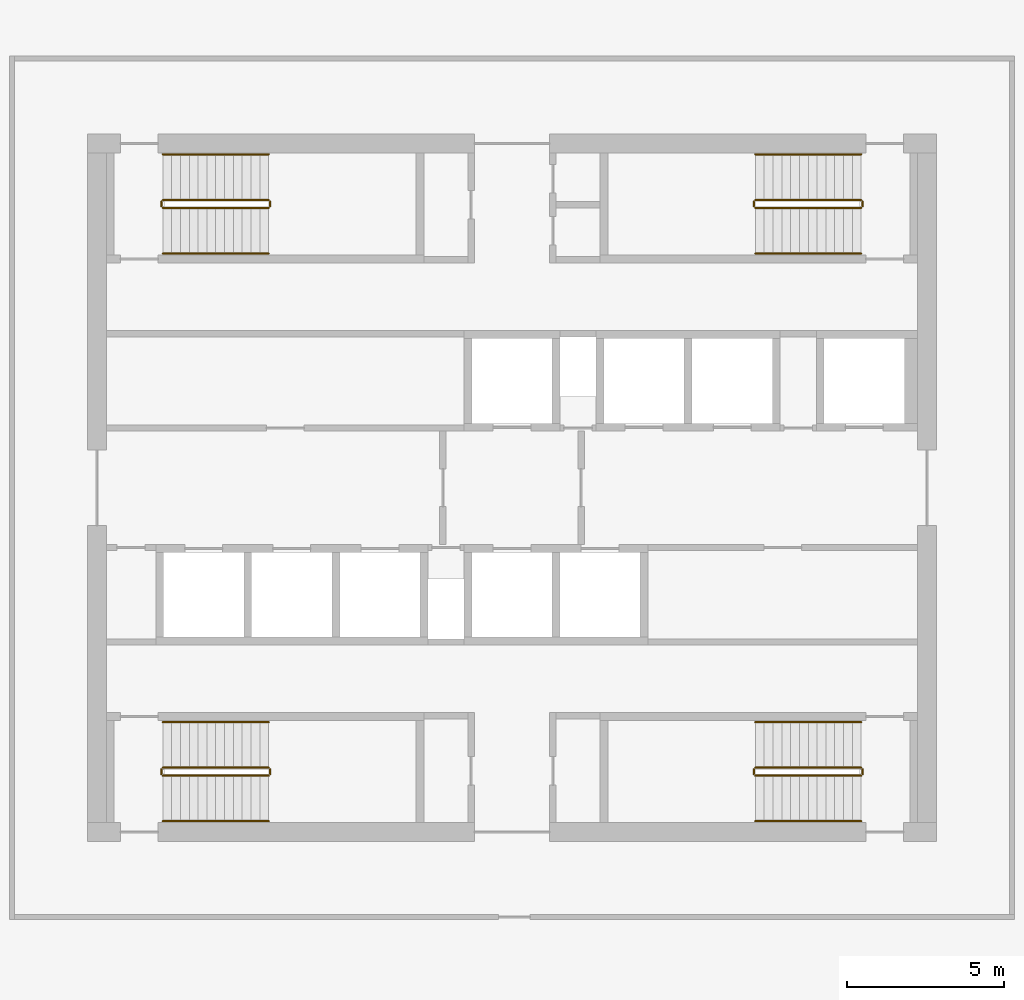
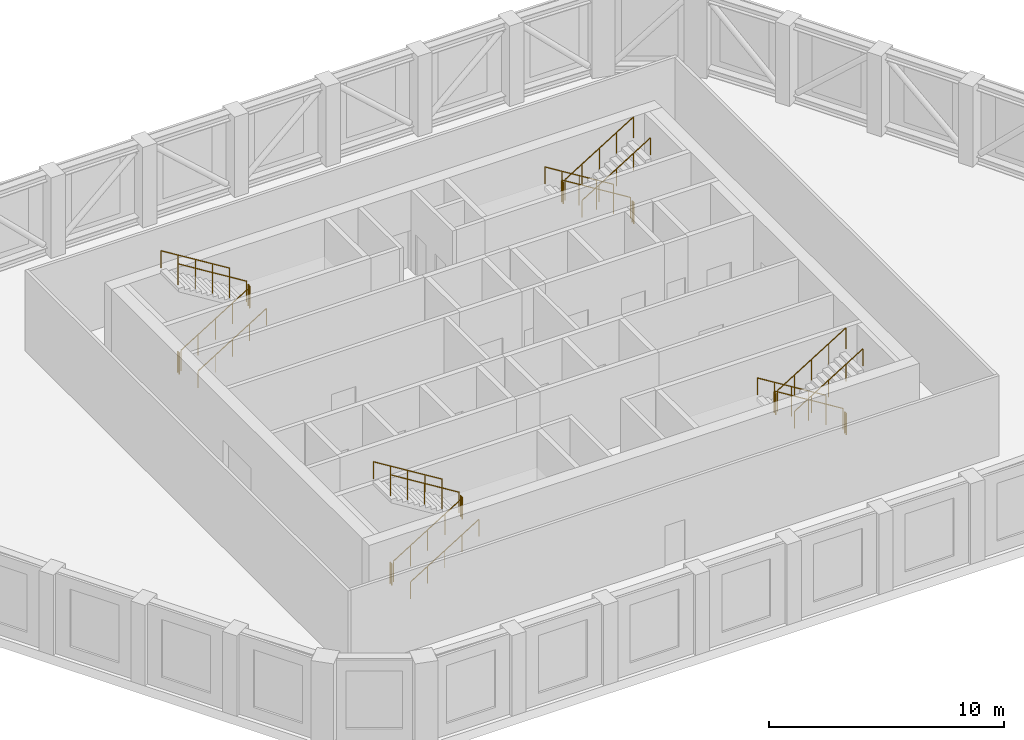
# One storey, part 14 of 14: 24 railings.
"""IFC4 building model written with IfcOpenShell, lengths in metres."""

from ifc_helpers import new_model, si_unit, direction, frame, origin, origin_2d, place, context, subcontext, project, spatial, circle, extrude, material, type_object, element, save


model = new_model("IFC4")

# Units and contexts
model_context = context("Model", 3, precision=1e-05, world=origin(), true_north=direction((0.0, 1.0)))
body_context = subcontext(model_context, "Body", "Model", "MODEL_VIEW")
ifc_project = project(units=[si_unit("LENGTHUNIT", "METRE"), si_unit("AREAUNIT", "SQUARE_METRE"), si_unit("VOLUMEUNIT", "CUBIC_METRE"), si_unit("PLANEANGLEUNIT", "RADIAN"), si_unit("MASSUNIT", "GRAM", prefix="KILO")], contexts=[model_context])

# Site, building, storey
site_placement = place(None, origin())
site = spatial("IfcSite", under=ifc_project, at=site_placement, CompositionType="ELEMENT")
building_placement = place(site_placement, origin())
building = spatial("IfcBuilding", under=site, at=building_placement, Name="Dhurran Vertical Campus", CompositionType="ELEMENT")
storey_placement = place(building_placement, frame((0.0, 0.0, 282.0)))
storey = spatial("IfcBuildingStorey", under=building, at=storey_placement, Name="L70 Plant", CompositionType="ELEMENT", Elevation=282.0)

# Railings
ifc_material_1 = material(Name="Stainless steel balustrade", Category="steel")
railing_type_1 = type_object("IfcRailingType", Name="co-RL-GUARD-1100", PredefinedType="GUARDRAIL", material=ifc_material_1)
railing_1_placement = place(storey_placement, frame((-11.10009765625, 8.89990234375, 0.173095703125)))
element("IfcRailing", 1, at=railing_1_placement, inside=storey, type_object=railing_type_1, Name="L70 Plant ST1 stair guard 1", PredefinedType="GUARDRAIL", context=body_context, shape_type="SweptSolid", body=[
    extrude(circle(Radius=0.02392578125, at=origin_2d()), frame((0.0, 0.0, 1.076171875), z_axis=(0.850623216509, 0.0, 0.525775754039), x_axis=(0.0, 1.0, 0.0)), (0.0, 0.0, 1.0), 3.9501953125),
    extrude(circle(Radius=0.02099609375, at=origin_2d()), origin(), (0.0, 0.0, 1.0), 1.052001953125),
    extrude(circle(Radius=0.02099609375, at=origin_2d()), frame((0.840087890625, 0.0, 0.519287109375)), (0.0, 0.0, 1.0), 1.052001953125),
    extrude(circle(Radius=0.02099609375, at=origin_2d()), frame((1.68017578125, 0.0, 1.03857421875)), (0.0, 0.0, 1.0), 1.052001953125),
    extrude(circle(Radius=0.02099609375, at=origin_2d()), frame((2.52001953125, 0.0, 1.5576171875)), (0.0, 0.0, 1.0), 1.052001953125),
    extrude(circle(Radius=0.02099609375, at=origin_2d()), frame((3.360107421875, 0.0, 2.076904296875)), (0.0, 0.0, 1.0), 1.052001953125),
])
railing_2_placement = place(storey_placement, frame((-7.68994140625, 8.949951171875, 2.25)))
element("IfcRailing", 2, at=railing_2_placement, inside=storey, type_object=railing_type_1, Name="L70 Plant ST1 stair guard 2", PredefinedType="GUARDRAIL", context=body_context, shape_type="SweptSolid", body=[
    extrude(circle(Radius=0.02392578125, at=origin_2d()), frame((0.0, 0.0, 1.076171875), z_axis=(0.0, 1.0, 0.0), x_axis=(-1.0, 0.0, 0.0)), (0.0, 0.0, 1.0), 0.150146484375),
    extrude(circle(Radius=0.02099609375, at=origin_2d()), origin(), (0.0, 0.0, 1.0), 1.052001953125),
    extrude(circle(Radius=0.02099609375, at=origin_2d()), frame((0.0, 0.150146484375, 0.0)), (0.0, 0.0, 1.0), 1.052001953125),
])
railing_3_placement = place(storey_placement, frame((-7.739990234375, 9.14990234375, 2.423095703125)))
element("IfcRailing", 3, at=railing_3_placement, inside=storey, type_object=railing_type_1, Name="L70 Plant ST1 stair guard 3", PredefinedType="GUARDRAIL", context=body_context, shape_type="SweptSolid", body=[
    extrude(circle(Radius=0.02392578125, at=origin_2d()), frame((0.0, 0.0, 1.076171875), z_axis=(-0.850623216509, 0.0, 0.525775754039), x_axis=(0.0, -1.0, 0.0)), (0.0, 0.0, 1.0), 3.9501953125),
    extrude(circle(Radius=0.02099609375, at=origin_2d()), origin(), (0.0, 0.0, 1.0), 1.052001953125),
    extrude(circle(Radius=0.02099609375, at=origin_2d()), frame((-0.840087890625, 0.0, 0.519287109375)), (0.0, 0.0, 1.0), 1.052001953125),
    extrude(circle(Radius=0.02099609375, at=origin_2d()), frame((-1.68017578125, 0.0, 1.03857421875)), (0.0, 0.0, 1.0), 1.052001953125),
    extrude(circle(Radius=0.02099609375, at=origin_2d()), frame((-2.52001953125, 0.0, 1.5576171875)), (0.0, 0.0, 1.0), 1.052001953125),
    extrude(circle(Radius=0.02099609375, at=origin_2d()), frame((-3.360107421875, 0.0, 2.076904296875)), (0.0, 0.0, 1.0), 1.052001953125),
])
railing_4_placement = place(storey_placement, frame((-11.14990234375, 8.949951171875, 0.0)))
element("IfcRailing", 4, at=railing_4_placement, inside=storey, type_object=railing_type_1, Name="L70 Plant ST1 stair guard 4", PredefinedType="GUARDRAIL", context=body_context, shape_type="SweptSolid", body=[
    extrude(circle(Radius=0.02392578125, at=origin_2d()), frame((0.0, 0.0, 1.076171875), z_axis=(0.0, 1.0, 0.0), x_axis=(-1.0, 0.0, 0.0)), (0.0, 0.0, 1.0), 0.150146484375),
    extrude(circle(Radius=0.02099609375, at=origin_2d()), origin(), (0.0, 0.0, 1.0), 1.052001953125),
    extrude(circle(Radius=0.02099609375, at=origin_2d()), frame((0.0, 0.150146484375, 0.0)), (0.0, 0.0, 1.0), 1.052001953125),
])
railing_5_placement = place(storey_placement, frame((11.10009765625, 9.14990234375, 0.173095703125)))
element("IfcRailing", 5, at=railing_5_placement, inside=storey, type_object=railing_type_1, Name="L70 Plant ST2 stair guard 1", PredefinedType="GUARDRAIL", context=body_context, shape_type="SweptSolid", body=[
    extrude(circle(Radius=0.02392578125, at=origin_2d()), frame((0.0, 0.0, 1.076171875), z_axis=(-0.850623216509, 0.0, 0.525775754039), x_axis=(0.0, -1.0, 0.0)), (0.0, 0.0, 1.0), 3.9501953125),
    extrude(circle(Radius=0.02099609375, at=origin_2d()), origin(), (0.0, 0.0, 1.0), 1.052001953125),
    extrude(circle(Radius=0.02099609375, at=origin_2d()), frame((-0.840087890625, 0.0, 0.519287109375)), (0.0, 0.0, 1.0), 1.052001953125),
    extrude(circle(Radius=0.02099609375, at=origin_2d()), frame((-1.68017578125, 0.0, 1.03857421875)), (0.0, 0.0, 1.0), 1.052001953125),
    extrude(circle(Radius=0.02099609375, at=origin_2d()), frame((-2.52001953125, 0.0, 1.5576171875)), (0.0, 0.0, 1.0), 1.052001953125),
    extrude(circle(Radius=0.02099609375, at=origin_2d()), frame((-3.360107421875, 0.0, 2.076904296875)), (0.0, 0.0, 1.0), 1.052001953125),
])
railing_6_placement = place(storey_placement, frame((7.68994140625, 9.10009765625, 2.25)))
element("IfcRailing", 6, at=railing_6_placement, inside=storey, type_object=railing_type_1, Name="L70 Plant ST2 stair guard 2", PredefinedType="GUARDRAIL", context=body_context, shape_type="SweptSolid", body=[
    extrude(circle(Radius=0.02392578125, at=origin_2d()), frame((0.0, 0.0, 1.076171875), z_axis=(0.0, -1.0, 0.0), x_axis=(1.0, 0.0, 0.0)), (0.0, 0.0, 1.0), 0.150146484375),
    extrude(circle(Radius=0.02099609375, at=origin_2d()), origin(), (0.0, 0.0, 1.0), 1.052001953125),
    extrude(circle(Radius=0.02099609375, at=origin_2d()), frame((0.0, -0.150146484375, 0.0)), (0.0, 0.0, 1.0), 1.052001953125),
])
railing_7_placement = place(storey_placement, frame((7.739990234375, 8.89990234375, 2.423095703125)))
element("IfcRailing", 7, at=railing_7_placement, inside=storey, type_object=railing_type_1, Name="L70 Plant ST2 stair guard 3", PredefinedType="GUARDRAIL", context=body_context, shape_type="SweptSolid", body=[
    extrude(circle(Radius=0.02392578125, at=origin_2d()), frame((0.0, 0.0, 1.076171875), z_axis=(0.850623216509, 0.0, 0.525775754039), x_axis=(0.0, 1.0, 0.0)), (0.0, 0.0, 1.0), 3.9501953125),
    extrude(circle(Radius=0.02099609375, at=origin_2d()), origin(), (0.0, 0.0, 1.0), 1.052001953125),
    extrude(circle(Radius=0.02099609375, at=origin_2d()), frame((0.840087890625, 0.0, 0.519287109375)), (0.0, 0.0, 1.0), 1.052001953125),
    extrude(circle(Radius=0.02099609375, at=origin_2d()), frame((1.68017578125, 0.0, 1.03857421875)), (0.0, 0.0, 1.0), 1.052001953125),
    extrude(circle(Radius=0.02099609375, at=origin_2d()), frame((2.52001953125, 0.0, 1.5576171875)), (0.0, 0.0, 1.0), 1.052001953125),
    extrude(circle(Radius=0.02099609375, at=origin_2d()), frame((3.360107421875, 0.0, 2.076904296875)), (0.0, 0.0, 1.0), 1.052001953125),
])
railing_8_placement = place(storey_placement, frame((11.14990234375, 9.10009765625, 0.0)))
element("IfcRailing", 8, at=railing_8_placement, inside=storey, type_object=railing_type_1, Name="L70 Plant ST2 stair guard 4", PredefinedType="GUARDRAIL", context=body_context, shape_type="SweptSolid", body=[
    extrude(circle(Radius=0.02392578125, at=origin_2d()), frame((0.0, 0.0, 1.076171875), z_axis=(0.0, -1.0, 0.0), x_axis=(1.0, 0.0, 0.0)), (0.0, 0.0, 1.0), 0.150146484375),
    extrude(circle(Radius=0.02099609375, at=origin_2d()), origin(), (0.0, 0.0, 1.0), 1.052001953125),
    extrude(circle(Radius=0.02099609375, at=origin_2d()), frame((0.0, -0.150146484375, 0.0)), (0.0, 0.0, 1.0), 1.052001953125),
])
railing_9_placement = place(storey_placement, frame((-11.10009765625, -9.14990234375, 0.173095703125)))
element("IfcRailing", 9, at=railing_9_placement, inside=storey, type_object=railing_type_1, Name="L70 Plant ST3 stair guard 1", PredefinedType="GUARDRAIL", context=body_context, shape_type="SweptSolid", body=[
    extrude(circle(Radius=0.02392578125, at=origin_2d()), frame((0.0, 0.0, 1.076171875), z_axis=(0.850623216509, 0.0, 0.525775754039), x_axis=(0.0, 1.0, 0.0)), (0.0, 0.0, 1.0), 3.9501953125),
    extrude(circle(Radius=0.02099609375, at=origin_2d()), origin(), (0.0, 0.0, 1.0), 1.052001953125),
    extrude(circle(Radius=0.02099609375, at=origin_2d()), frame((0.840087890625, 0.0, 0.519287109375)), (0.0, 0.0, 1.0), 1.052001953125),
    extrude(circle(Radius=0.02099609375, at=origin_2d()), frame((1.68017578125, 0.0, 1.03857421875)), (0.0, 0.0, 1.0), 1.052001953125),
    extrude(circle(Radius=0.02099609375, at=origin_2d()), frame((2.52001953125, 0.0, 1.5576171875)), (0.0, 0.0, 1.0), 1.052001953125),
    extrude(circle(Radius=0.02099609375, at=origin_2d()), frame((3.360107421875, 0.0, 2.076904296875)), (0.0, 0.0, 1.0), 1.052001953125),
])
railing_10_placement = place(storey_placement, frame((-7.68994140625, -9.10009765625, 2.25)))
element("IfcRailing", 10, at=railing_10_placement, inside=storey, type_object=railing_type_1, Name="L70 Plant ST3 stair guard 2", PredefinedType="GUARDRAIL", context=body_context, shape_type="SweptSolid", body=[
    extrude(circle(Radius=0.02392578125, at=origin_2d()), frame((0.0, 0.0, 1.076171875), z_axis=(0.0, 1.0, 0.0), x_axis=(-1.0, 0.0, 0.0)), (0.0, 0.0, 1.0), 0.150146484375),
    extrude(circle(Radius=0.02099609375, at=origin_2d()), origin(), (0.0, 0.0, 1.0), 1.052001953125),
    extrude(circle(Radius=0.02099609375, at=origin_2d()), frame((0.0, 0.150146484375, 0.0)), (0.0, 0.0, 1.0), 1.052001953125),
])
railing_11_placement = place(storey_placement, frame((-7.739990234375, -8.89990234375, 2.423095703125)))
element("IfcRailing", 11, at=railing_11_placement, inside=storey, type_object=railing_type_1, Name="L70 Plant ST3 stair guard 3", PredefinedType="GUARDRAIL", context=body_context, shape_type="SweptSolid", body=[
    extrude(circle(Radius=0.02392578125, at=origin_2d()), frame((0.0, 0.0, 1.076171875), z_axis=(-0.850623216509, 0.0, 0.525775754039), x_axis=(0.0, -1.0, 0.0)), (0.0, 0.0, 1.0), 3.9501953125),
    extrude(circle(Radius=0.02099609375, at=origin_2d()), origin(), (0.0, 0.0, 1.0), 1.052001953125),
    extrude(circle(Radius=0.02099609375, at=origin_2d()), frame((-0.840087890625, 0.0, 0.519287109375)), (0.0, 0.0, 1.0), 1.052001953125),
    extrude(circle(Radius=0.02099609375, at=origin_2d()), frame((-1.68017578125, 0.0, 1.03857421875)), (0.0, 0.0, 1.0), 1.052001953125),
    extrude(circle(Radius=0.02099609375, at=origin_2d()), frame((-2.52001953125, 0.0, 1.5576171875)), (0.0, 0.0, 1.0), 1.052001953125),
    extrude(circle(Radius=0.02099609375, at=origin_2d()), frame((-3.360107421875, 0.0, 2.076904296875)), (0.0, 0.0, 1.0), 1.052001953125),
])
railing_12_placement = place(storey_placement, frame((-11.14990234375, -9.10009765625, 0.0)))
element("IfcRailing", 12, at=railing_12_placement, inside=storey, type_object=railing_type_1, Name="L70 Plant ST3 stair guard 4", PredefinedType="GUARDRAIL", context=body_context, shape_type="SweptSolid", body=[
    extrude(circle(Radius=0.02392578125, at=origin_2d()), frame((0.0, 0.0, 1.076171875), z_axis=(0.0, 1.0, 0.0), x_axis=(-1.0, 0.0, 0.0)), (0.0, 0.0, 1.0), 0.150146484375),
    extrude(circle(Radius=0.02099609375, at=origin_2d()), origin(), (0.0, 0.0, 1.0), 1.052001953125),
    extrude(circle(Radius=0.02099609375, at=origin_2d()), frame((0.0, 0.150146484375, 0.0)), (0.0, 0.0, 1.0), 1.052001953125),
])
railing_13_placement = place(storey_placement, frame((11.10009765625, -8.89990234375, 0.173095703125)))
element("IfcRailing", 13, at=railing_13_placement, inside=storey, type_object=railing_type_1, Name="L70 Plant ST4 stair guard 1", PredefinedType="GUARDRAIL", context=body_context, shape_type="SweptSolid", body=[
    extrude(circle(Radius=0.02392578125, at=origin_2d()), frame((0.0, 0.0, 1.076171875), z_axis=(-0.850623216509, 0.0, 0.525775754039), x_axis=(0.0, -1.0, 0.0)), (0.0, 0.0, 1.0), 3.9501953125),
    extrude(circle(Radius=0.02099609375, at=origin_2d()), origin(), (0.0, 0.0, 1.0), 1.052001953125),
    extrude(circle(Radius=0.02099609375, at=origin_2d()), frame((-0.840087890625, 0.0, 0.519287109375)), (0.0, 0.0, 1.0), 1.052001953125),
    extrude(circle(Radius=0.02099609375, at=origin_2d()), frame((-1.68017578125, 0.0, 1.03857421875)), (0.0, 0.0, 1.0), 1.052001953125),
    extrude(circle(Radius=0.02099609375, at=origin_2d()), frame((-2.52001953125, 0.0, 1.5576171875)), (0.0, 0.0, 1.0), 1.052001953125),
    extrude(circle(Radius=0.02099609375, at=origin_2d()), frame((-3.360107421875, 0.0, 2.076904296875)), (0.0, 0.0, 1.0), 1.052001953125),
])
railing_14_placement = place(storey_placement, frame((7.68994140625, -8.949951171875, 2.25)))
element("IfcRailing", 14, at=railing_14_placement, inside=storey, type_object=railing_type_1, Name="L70 Plant ST4 stair guard 2", PredefinedType="GUARDRAIL", context=body_context, shape_type="SweptSolid", body=[
    extrude(circle(Radius=0.02392578125, at=origin_2d()), frame((0.0, 0.0, 1.076171875), z_axis=(0.0, -1.0, 0.0), x_axis=(1.0, 0.0, 0.0)), (0.0, 0.0, 1.0), 0.150146484375),
    extrude(circle(Radius=0.02099609375, at=origin_2d()), origin(), (0.0, 0.0, 1.0), 1.052001953125),
    extrude(circle(Radius=0.02099609375, at=origin_2d()), frame((0.0, -0.150146484375, 0.0)), (0.0, 0.0, 1.0), 1.052001953125),
])
railing_15_placement = place(storey_placement, frame((7.739990234375, -9.14990234375, 2.423095703125)))
element("IfcRailing", 15, at=railing_15_placement, inside=storey, type_object=railing_type_1, Name="L70 Plant ST4 stair guard 3", PredefinedType="GUARDRAIL", context=body_context, shape_type="SweptSolid", body=[
    extrude(circle(Radius=0.02392578125, at=origin_2d()), frame((0.0, 0.0, 1.076171875), z_axis=(0.850623216509, 0.0, 0.525775754039), x_axis=(0.0, 1.0, 0.0)), (0.0, 0.0, 1.0), 3.9501953125),
    extrude(circle(Radius=0.02099609375, at=origin_2d()), origin(), (0.0, 0.0, 1.0), 1.052001953125),
    extrude(circle(Radius=0.02099609375, at=origin_2d()), frame((0.840087890625, 0.0, 0.519287109375)), (0.0, 0.0, 1.0), 1.052001953125),
    extrude(circle(Radius=0.02099609375, at=origin_2d()), frame((1.68017578125, 0.0, 1.03857421875)), (0.0, 0.0, 1.0), 1.052001953125),
    extrude(circle(Radius=0.02099609375, at=origin_2d()), frame((2.52001953125, 0.0, 1.5576171875)), (0.0, 0.0, 1.0), 1.052001953125),
    extrude(circle(Radius=0.02099609375, at=origin_2d()), frame((3.360107421875, 0.0, 2.076904296875)), (0.0, 0.0, 1.0), 1.052001953125),
])
railing_16_placement = place(storey_placement, frame((11.14990234375, -8.949951171875, 0.0)))
element("IfcRailing", 16, at=railing_16_placement, inside=storey, type_object=railing_type_1, Name="L70 Plant ST4 stair guard 4", PredefinedType="GUARDRAIL", context=body_context, shape_type="SweptSolid", body=[
    extrude(circle(Radius=0.02392578125, at=origin_2d()), frame((0.0, 0.0, 1.076171875), z_axis=(0.0, -1.0, 0.0), x_axis=(1.0, 0.0, 0.0)), (0.0, 0.0, 1.0), 0.150146484375),
    extrude(circle(Radius=0.02099609375, at=origin_2d()), origin(), (0.0, 0.0, 1.0), 1.052001953125),
    extrude(circle(Radius=0.02099609375, at=origin_2d()), frame((0.0, -0.150146484375, 0.0)), (0.0, 0.0, 1.0), 1.052001953125),
])
ifc_material_2 = material(Name="Stainless steel handrail", Category="steel")
railing_type_2 = type_object("IfcRailingType", Name="co-RL-HANDRAIL-900", PredefinedType="HANDRAIL", material=ifc_material_2)
railing_17_placement = place(storey_placement, frame((-11.10009765625, 7.449951171875, 0.173095703125)))
element("IfcRailing", 17, at=railing_17_placement, inside=storey, type_object=railing_type_2, Name="L70 Plant ST1 stair handrail 1", PredefinedType="HANDRAIL", context=body_context, shape_type="SweptSolid", body=[
    extrude(circle(Radius=0.02392578125, at=origin_2d()), frame((0.0, 0.0, 0.8759765625), z_axis=(0.850623216509, 0.0, 0.525775754039), x_axis=(0.0, 1.0, 0.0)), (0.0, 0.0, 1.0), 3.9501953125),
    extrude(circle(Radius=0.02099609375, at=origin_2d()), origin(), (0.0, 0.0, 1.0), 0.851806640625),
    extrude(circle(Radius=0.02099609375, at=origin_2d()), frame((0.840087890625, 0.0, 0.519287109375)), (0.0, 0.0, 1.0), 0.851806640625),
    extrude(circle(Radius=0.02099609375, at=origin_2d()), frame((1.68017578125, 0.0, 1.03857421875)), (0.0, 0.0, 1.0), 0.851806640625),
    extrude(circle(Radius=0.02099609375, at=origin_2d()), frame((2.52001953125, 0.0, 1.5576171875)), (0.0, 0.0, 1.0), 0.851806640625),
    extrude(circle(Radius=0.02099609375, at=origin_2d()), frame((3.360107421875, 0.0, 2.076904296875)), (0.0, 0.0, 1.0), 0.851806640625),
])
for number, where, name in (
    (18, (-7.739990234375, 10.60009765625, 2.423095703125), "L70 Plant ST1 stair handrail 2"),
    (19, (11.10009765625, 10.60009765625, 0.173095703125), "L70 Plant ST2 stair handrail 1"),
):
    element("IfcRailing", number, at=place(storey_placement, frame(where)), inside=storey, type_object=railing_type_2, Name=name, PredefinedType="HANDRAIL", context=body_context, shape_type="SweptSolid", body=[
        extrude(circle(Radius=0.02392578125, at=origin_2d()), frame((0.0, 0.0, 0.8759765625), z_axis=(-0.850623216509, 0.0, 0.525775754039), x_axis=(0.0, -1.0, 0.0)), (0.0, 0.0, 1.0), 3.9501953125),
        extrude(circle(Radius=0.02099609375, at=origin_2d()), origin(), (0.0, 0.0, 1.0), 0.851806640625),
        extrude(circle(Radius=0.02099609375, at=origin_2d()), frame((-0.840087890625, 0.0, 0.519287109375)), (0.0, 0.0, 1.0), 0.851806640625),
        extrude(circle(Radius=0.02099609375, at=origin_2d()), frame((-1.68017578125, 0.0, 1.03857421875)), (0.0, 0.0, 1.0), 0.851806640625),
        extrude(circle(Radius=0.02099609375, at=origin_2d()), frame((-2.52001953125, 0.0, 1.5576171875)), (0.0, 0.0, 1.0), 0.851806640625),
        extrude(circle(Radius=0.02099609375, at=origin_2d()), frame((-3.360107421875, 0.0, 2.076904296875)), (0.0, 0.0, 1.0), 0.851806640625),
    ])
for number, where, name in (
    (20, (7.739990234375, 7.449951171875, 2.423095703125), "L70 Plant ST2 stair handrail 2"),
    (21, (-11.10009765625, -10.60009765625, 0.173095703125), "L70 Plant ST3 stair handrail 1"),
):
    element("IfcRailing", number, at=place(storey_placement, frame(where)), inside=storey, type_object=railing_type_2, Name=name, PredefinedType="HANDRAIL", context=body_context, shape_type="SweptSolid", body=[
        extrude(circle(Radius=0.02392578125, at=origin_2d()), frame((0.0, 0.0, 0.8759765625), z_axis=(0.850623216509, 0.0, 0.525775754039), x_axis=(0.0, 1.0, 0.0)), (0.0, 0.0, 1.0), 3.9501953125),
        extrude(circle(Radius=0.02099609375, at=origin_2d()), origin(), (0.0, 0.0, 1.0), 0.851806640625),
        extrude(circle(Radius=0.02099609375, at=origin_2d()), frame((0.840087890625, 0.0, 0.519287109375)), (0.0, 0.0, 1.0), 0.851806640625),
        extrude(circle(Radius=0.02099609375, at=origin_2d()), frame((1.68017578125, 0.0, 1.03857421875)), (0.0, 0.0, 1.0), 0.851806640625),
        extrude(circle(Radius=0.02099609375, at=origin_2d()), frame((2.52001953125, 0.0, 1.5576171875)), (0.0, 0.0, 1.0), 0.851806640625),
        extrude(circle(Radius=0.02099609375, at=origin_2d()), frame((3.360107421875, 0.0, 2.076904296875)), (0.0, 0.0, 1.0), 0.851806640625),
    ])
for number, where, name in (
    (22, (-7.739990234375, -7.449951171875, 2.423095703125), "L70 Plant ST3 stair handrail 2"),
    (23, (11.10009765625, -7.449951171875, 0.173095703125), "L70 Plant ST4 stair handrail 1"),
):
    element("IfcRailing", number, at=place(storey_placement, frame(where)), inside=storey, type_object=railing_type_2, Name=name, PredefinedType="HANDRAIL", context=body_context, shape_type="SweptSolid", body=[
        extrude(circle(Radius=0.02392578125, at=origin_2d()), frame((0.0, 0.0, 0.8759765625), z_axis=(-0.850623216509, 0.0, 0.525775754039), x_axis=(0.0, -1.0, 0.0)), (0.0, 0.0, 1.0), 3.9501953125),
        extrude(circle(Radius=0.02099609375, at=origin_2d()), origin(), (0.0, 0.0, 1.0), 0.851806640625),
        extrude(circle(Radius=0.02099609375, at=origin_2d()), frame((-0.840087890625, 0.0, 0.519287109375)), (0.0, 0.0, 1.0), 0.851806640625),
        extrude(circle(Radius=0.02099609375, at=origin_2d()), frame((-1.68017578125, 0.0, 1.03857421875)), (0.0, 0.0, 1.0), 0.851806640625),
        extrude(circle(Radius=0.02099609375, at=origin_2d()), frame((-2.52001953125, 0.0, 1.5576171875)), (0.0, 0.0, 1.0), 0.851806640625),
        extrude(circle(Radius=0.02099609375, at=origin_2d()), frame((-3.360107421875, 0.0, 2.076904296875)), (0.0, 0.0, 1.0), 0.851806640625),
    ])
railing_18_placement = place(storey_placement, frame((7.739990234375, -10.60009765625, 2.423095703125)))
element("IfcRailing", 24, at=railing_18_placement, inside=storey, type_object=railing_type_2, Name="L70 Plant ST4 stair handrail 2", PredefinedType="HANDRAIL", context=body_context, shape_type="SweptSolid", body=[
    extrude(circle(Radius=0.02392578125, at=origin_2d()), frame((0.0, 0.0, 0.8759765625), z_axis=(0.850623216509, 0.0, 0.525775754039), x_axis=(0.0, 1.0, 0.0)), (0.0, 0.0, 1.0), 3.9501953125),
    extrude(circle(Radius=0.02099609375, at=origin_2d()), origin(), (0.0, 0.0, 1.0), 0.851806640625),
    extrude(circle(Radius=0.02099609375, at=origin_2d()), frame((0.840087890625, 0.0, 0.519287109375)), (0.0, 0.0, 1.0), 0.851806640625),
    extrude(circle(Radius=0.02099609375, at=origin_2d()), frame((1.68017578125, 0.0, 1.03857421875)), (0.0, 0.0, 1.0), 0.851806640625),
    extrude(circle(Radius=0.02099609375, at=origin_2d()), frame((2.52001953125, 0.0, 1.5576171875)), (0.0, 0.0, 1.0), 0.851806640625),
    extrude(circle(Radius=0.02099609375, at=origin_2d()), frame((3.360107421875, 0.0, 2.076904296875)), (0.0, 0.0, 1.0), 0.851806640625),
])

save(model, "model.ifc")
